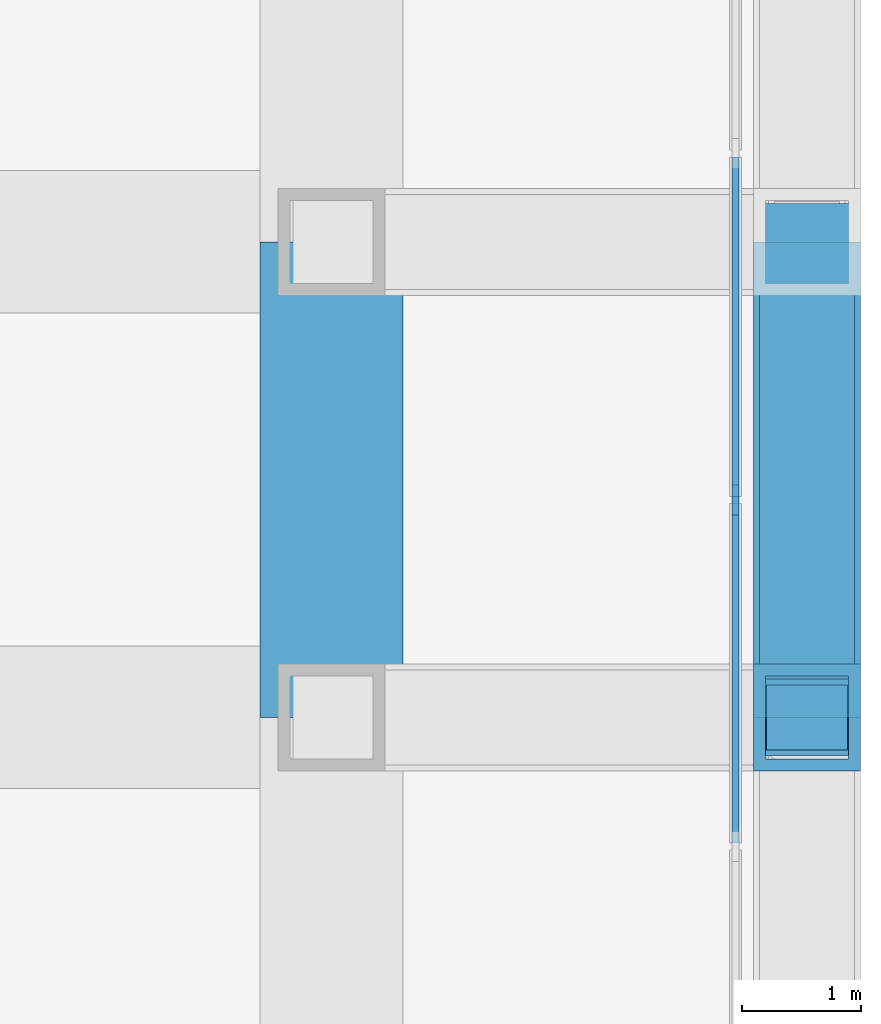
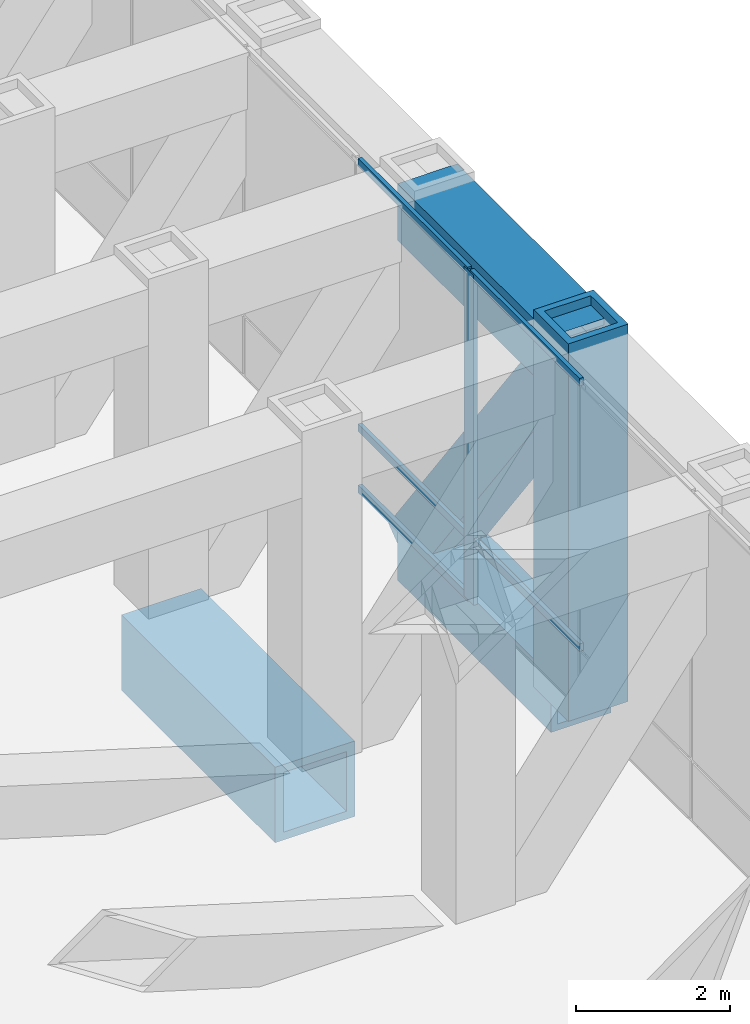
# One storey, part 6 of 14: 8 members, 3 beams, 1 element without a shape of its own.
"""IFC4 building model written with IfcOpenShell, lengths in metres."""

from ifc_helpers import new_model, si_unit, direction, frame, origin, origin_2d, place, context, subcontext, project, spatial, rectangle, hollow_rectangle, extrude, material, material_profile, profile_set, type_object, element, aggregate, save


model = new_model("IFC4")

# Units and contexts
model_context = context("Model", 3, precision=1e-05, world=origin(), true_north=direction((0.0, 1.0)))
body_context = subcontext(model_context, "Body", "Model", "MODEL_VIEW")
ifc_project = project(units=[si_unit("LENGTHUNIT", "METRE"), si_unit("AREAUNIT", "SQUARE_METRE"), si_unit("VOLUMEUNIT", "CUBIC_METRE"), si_unit("PLANEANGLEUNIT", "RADIAN"), si_unit("MASSUNIT", "GRAM", prefix="KILO")], contexts=[model_context])

# Site, building, storey
site_placement = place(None, origin())
site = spatial("IfcSite", under=ifc_project, at=site_placement, CompositionType="ELEMENT")
building_placement = place(site_placement, origin())
building = spatial("IfcBuilding", under=site, at=building_placement, Name="Rimbunsela Tower", CompositionType="ELEMENT")
storey_placement = place(building_placement, frame((0.0, 0.0, 71.0)))
storey = spatial("IfcBuildingStorey", under=building, at=storey_placement, Name="L17", CompositionType="ELEMENT", Elevation=71.0)

# Beam
ifc_material_1 = material(Name="Steel BJ 55 (fy 410 MPa)", Category="steel")
ifc_material_profile_1 = material_profile(ifc_material_1, hollow_rectangle(XDim=1.199951171875, YDim=1.199951171875, WallThickness=0.125, at=origin_2d()), Name="BOX 1200x1200x125")
ifc_profile_set_1 = profile_set([ifc_material_profile_1], Name="Steel BJ 55 (fy 410 MPa)")
beam_type_1 = type_object("IfcBeamType", Name="Beam BOX 1200x1200x125", PredefinedType="BEAM", material=ifc_profile_set_1)
beam_placement = place(storey_placement, frame((54.0, 28.0, -0.75), z_axis=(0.0, 1.0, 0.0), x_axis=(-1.0, 0.0, 0.0)))
element("IfcBeam", 1, at=beam_placement, inside=storey, type_object=beam_type_1, Name="Beam B4 L17", PredefinedType="BEAM", context=body_context, shape_type="SweptSolid", body=[
    extrude(hollow_rectangle(XDim=1.199951171875, YDim=1.199951171875, WallThickness=0.125, at=origin_2d()), origin(), (0.0, 0.0, 1.0), 4.0),
])

# Curtain wall, members
ifc_material_2 = material(Name="Aluminium curtain wall", Category="aluminium")
curtain_wall_type = type_object("IfcCurtainWallType", Name="Plant floor louvre wall", PredefinedType="USERDEFINED", material=ifc_material_2)
curtain_wall_placement = place(storey_placement, origin())
curtain_wall = element("IfcCurtainWall", 2, at=curtain_wall_placement, inside=storey, type_object=curtain_wall_type, Name="Plant floor louvre wall L17", ObjectType="PLANT FLOOR LOUVRE WALL", PredefinedType="USERDEFINED")
ifc_material_3 = material(Name="Aluminium mullion", Category="aluminium")
ifc_material_profile_2 = material_profile(ifc_material_3, rectangle(XDim=0.06005859375, YDim=0.25, at=origin_2d()), Name="Mullion 60x250")
ifc_profile_set_2 = profile_set([ifc_material_profile_2], Name="Aluminium mullion")
member_type_1 = type_object("IfcMemberType", Name="Curtain wall mullion 60x250", PredefinedType="MULLION", material=ifc_profile_set_2)
member_1_placement = place(storey_placement, frame((57.39990234375, 29.82861328125, 0.0), z_axis=(0.0, 0.0, 1.0), x_axis=(-1.0, 0.0, 0.0)))
member_1 = element("IfcMember", 3, at=member_1_placement, type_object=member_type_1, Name="CW3 mullion 10", PredefinedType="MULLION", context=body_context, shape_type="SweptSolid", body=[
    extrude(rectangle(XDim=0.06005859375, YDim=0.25, at=origin_2d()), origin(), (0.0, 0.0, 1.0), 5.25),
])
ifc_material_4 = material(Name="Aluminium transom", Category="aluminium")
ifc_material_profile_3 = material_profile(ifc_material_4, rectangle(XDim=0.06005859375, YDim=0.1201171875, at=origin_2d()), Name="Transom 60x120")
ifc_profile_set_3 = profile_set([ifc_material_profile_3], Name="Aluminium transom")
member_type_2 = type_object("IfcMemberType", Name="Curtain wall transom 60x120", PredefinedType="USERDEFINED", material=ifc_profile_set_3)
member_2_placement = place(storey_placement, frame((57.39990234375, 26.9443359375, 1.0), z_axis=(0.0, 1.0, 0.0), x_axis=(-1.0, 0.0, 0.0)))
member_2 = element("IfcMember", 4, at=member_2_placement, type_object=member_type_2, Name="CW3 transom 9.2", ObjectType="TRANSOM", PredefinedType="USERDEFINED", context=body_context, shape_type="SweptSolid", body=[
    extrude(rectangle(XDim=0.06005859375, YDim=0.1201171875, at=origin_2d()), origin(), (0.0, 0.0, 1.0), 2.854248046875),
])
member_3_placement = place(storey_placement, frame((57.39990234375, 26.9443359375, 5.219970703125), z_axis=(0.0, 1.0, 0.0), x_axis=(-1.0, 0.0, 0.0)))
member_3 = element("IfcMember", 5, at=member_3_placement, type_object=member_type_2, Name="CW3 transom 9.3", ObjectType="TRANSOM", PredefinedType="USERDEFINED", context=body_context, shape_type="SweptSolid", body=[
    extrude(rectangle(XDim=0.06005859375, YDim=0.1201171875, at=origin_2d()), origin(), (0.0, 0.0, 1.0), 2.854248046875),
])
member_4_placement = place(storey_placement, frame((57.39990234375, 29.858642578125, 0.030029296875), z_axis=(0.0, 1.0, 0.0), x_axis=(-1.0, 0.0, 0.0)))
member_4 = element("IfcMember", 6, at=member_4_placement, type_object=member_type_2, Name="CW3 transom 10.1", ObjectType="TRANSOM", PredefinedType="USERDEFINED", context=body_context, shape_type="SweptSolid", body=[
    extrude(rectangle(XDim=0.06005859375, YDim=0.1201171875, at=origin_2d()), origin(), (0.0, 0.0, 1.0), 2.854248046875),
])
member_5_placement = place(storey_placement, frame((57.39990234375, 29.858642578125, 1.0), z_axis=(0.0, 1.0, 0.0), x_axis=(-1.0, 0.0, 0.0)))
member_5 = element("IfcMember", 7, at=member_5_placement, type_object=member_type_2, Name="CW3 transom 10.2", ObjectType="TRANSOM", PredefinedType="USERDEFINED", context=body_context, shape_type="SweptSolid", body=[
    extrude(rectangle(XDim=0.06005859375, YDim=0.1201171875, at=origin_2d()), origin(), (0.0, 0.0, 1.0), 2.854248046875),
])
member_6_placement = place(storey_placement, frame((57.39990234375, 29.858642578125, 5.219970703125), z_axis=(0.0, 1.0, 0.0), x_axis=(-1.0, 0.0, 0.0)))
member_6 = element("IfcMember", 8, at=member_6_placement, type_object=member_type_2, Name="CW3 transom 10.3", ObjectType="TRANSOM", PredefinedType="USERDEFINED", context=body_context, shape_type="SweptSolid", body=[
    extrude(rectangle(XDim=0.06005859375, YDim=0.1201171875, at=origin_2d()), origin(), (0.0, 0.0, 1.0), 2.854248046875),
])
aggregate(curtain_wall, [member_1, member_2, member_3, member_4, member_5, member_6])

# Beams
ifc_material_5 = material(Name="Steel BJ 55 (fy 410 MPa)", Category="steel")
ifc_material_profile_4 = material_profile(ifc_material_5, hollow_rectangle(XDim=0.89990234375, YDim=0.89990234375, WallThickness=0.10009765625, at=origin_2d()), Name="BOX 900x900x100")
ifc_profile_set_4 = profile_set([ifc_material_profile_4], Name="Steel BJ 55 (fy 410 MPa)")
beam_type_2 = type_object("IfcBeamType", Name="Truss chord BOX 900x900x100", PredefinedType="USERDEFINED", material=ifc_profile_set_4)
for number, where, z_axis, x_axis, name in (
    (9, (58.0, 28.0, 4.800048828125), (0.0, 1.0, 0.0), (-1.0, 0.0, 0.0), "Truss top chord TC2 E face L17"),
    (10, (58.0, 28.0, -0.60009765625), (0.0, 1.0, 0.0), (-1.0, 0.0, 0.0), "Truss bottom chord TC2 E face L17"),
):
    element("IfcBeam", number, at=place(storey_placement, frame(where, z_axis=z_axis, x_axis=x_axis)), inside=storey, type_object=beam_type_2, Name=name, ObjectType="TRUSS CHORD", PredefinedType="USERDEFINED", context=body_context, shape_type="SweptSolid", body=[
        extrude(hollow_rectangle(XDim=0.89990234375, YDim=0.89990234375, WallThickness=0.10009765625, at=origin_2d()), origin(), (0.0, 0.0, 1.0), 4.0),
    ])

# Members
ifc_material_6 = material(Name="Steel BJ 55 (fy 410 MPa)", Category="steel")
ifc_material_profile_5 = material_profile(ifc_material_6, hollow_rectangle(XDim=0.800048828125, YDim=0.800048828125, WallThickness=0.06005859375, at=origin_2d()), Name="BOX 800x800x60")
ifc_profile_set_5 = profile_set([ifc_material_profile_5], Name="Steel BJ 55 (fy 410 MPa)")
member_type_3 = type_object("IfcMemberType", Name="Truss diagonal BOX 800x800x60", PredefinedType="BRACE", material=ifc_profile_set_5)
member_7_placement = place(storey_placement, frame((58.0, 28.0, 4.800048828125), z_axis=(0.0, 0.595217124844, -0.803564916041), x_axis=(-1.0, 0.0, 0.0)))
element("IfcMember", 11, at=member_7_placement, inside=storey, type_object=member_type_3, Name="Truss diagonal TD2 E face L17", PredefinedType="BRACE", context=body_context, shape_type="SweptSolid", body=[
    extrude(hollow_rectangle(XDim=0.800048828125, YDim=0.800048828125, WallThickness=0.06005859375, at=origin_2d()), origin(), (0.0, 0.0, 1.0), 6.72021484375),
])
ifc_material_7 = material(Name="Steel BJ 55 (fy 410 MPa)", Category="steel")
ifc_material_profile_6 = material_profile(ifc_material_7, hollow_rectangle(XDim=0.89990234375, YDim=0.89990234375, WallThickness=0.10009765625, at=origin_2d()), Name="BOX 900x900x100")
ifc_profile_set_6 = profile_set([ifc_material_profile_6], Name="Steel BJ 55 (fy 410 MPa)")
member_type_4 = type_object("IfcMemberType", Name="Truss post BOX 900x900x100", PredefinedType="POST", material=ifc_profile_set_6)
member_8_placement = place(storey_placement, frame((58.0, 28.0, -0.60009765625), z_axis=(0.0, 0.0, 1.0), x_axis=(1.0, 0.0, 0.0)))
element("IfcMember", 12, at=member_8_placement, inside=storey, type_object=member_type_4, Name="Truss post TP2 17/J L17", PredefinedType="POST", context=body_context, shape_type="SweptSolid", body=[
    extrude(hollow_rectangle(XDim=0.89990234375, YDim=0.89990234375, WallThickness=0.10009765625, at=origin_2d()), origin(), (0.0, 0.0, 1.0), 6.0),
])

save(model, "model.ifc")
